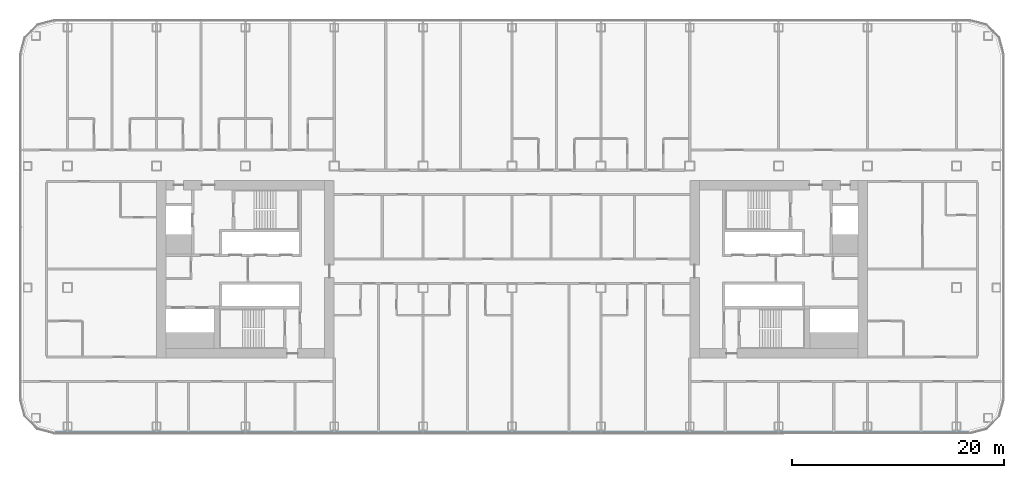
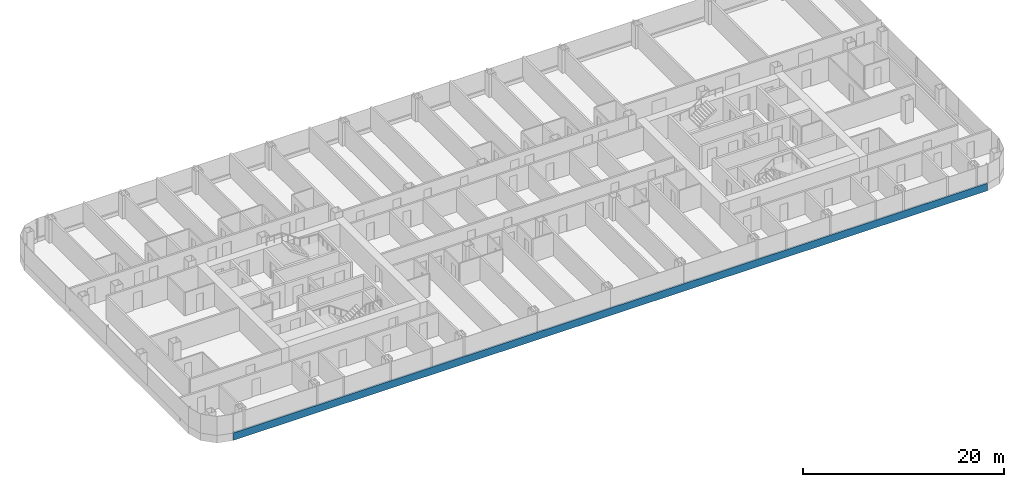
# One storey, part 5 of 29: 1 member, 1 element without a shape of its own.
"""IFC4 building model written with IfcOpenShell, lengths in metres."""

from ifc_helpers import new_model, si_unit, direction, frame, origin, origin_2d, place, context, subcontext, project, spatial, rectangle, extrude, material, layer, layer_set, material_profile, profile_set, type_object, element, aggregate, save


model = new_model("IFC4")

# Units and contexts
model_context = context("Model", 3, precision=1e-05, world=origin(), true_north=direction((0.0, 1.0)))
body_context = subcontext(model_context, "Body", "Model", "MODEL_VIEW")
ifc_project = project(units=[si_unit("LENGTHUNIT", "METRE"), si_unit("AREAUNIT", "SQUARE_METRE"), si_unit("VOLUMEUNIT", "CUBIC_METRE"), si_unit("PLANEANGLEUNIT", "RADIAN"), si_unit("MASSUNIT", "GRAM", prefix="KILO")], contexts=[model_context])

# Site, building, storey
site_placement = place(None, origin())
site = spatial("IfcSite", under=ifc_project, at=site_placement, CompositionType="ELEMENT")
building_placement = place(site_placement, origin())
building = spatial("IfcBuilding", under=site, at=building_placement, Name="Hakoniwa Tower and Hamabe Station Hall", CompositionType="ELEMENT")
storey_placement = place(building_placement, frame((0.0, 0.0, 110.60009765625)))
storey = spatial("IfcBuildingStorey", under=building, at=storey_placement, Name="L31", CompositionType="ELEMENT", Elevation=110.60009765625)

# Curtain wall, member
ifc_material_1 = material(Name="Dark low-e laminated glass", Category="glass")
ifc_layer = layer(ifc_material_1, 0.199951171875)
ifc_layer_set = layer_set([ifc_layer], Name="CW-1 UNITISED GUEST")
curtain_wall_type = type_object("IfcCurtainWallType", Name="CW-1 UNITISED GUEST", PredefinedType="NOTDEFINED", material=ifc_layer_set)
curtain_wall_placement = place(storey_placement, origin())
curtain_wall = element("IfcCurtainWall", 1, at=curtain_wall_placement, inside=storey, type_object=curtain_wall_type, Name="CW-1 curtain wall", PredefinedType="NOTDEFINED")
ifc_material_2 = material(Name="Aluminium 6063-T5 black anodised", Category="aluminium")
ifc_material_profile = material_profile(ifc_material_2, rectangle(XDim=0.199951171875, YDim=0.89990234375, at=origin_2d()), Name="CW SLAB-EDGE BAND 900X200")
ifc_profile_set = profile_set([ifc_material_profile], Name="Aluminium 6063-T5 black anodised")
member_type = type_object("IfcMemberType", Name="CW SLAB-EDGE BAND 900X200", PredefinedType="USERDEFINED", material=ifc_profile_set)
member_placement = place(storey_placement, frame((-43.239501953125, -15.449951171875, -0.10009765625), z_axis=(1.0, 0.0, 0.0), x_axis=(0.0, 1.0, 0.0)))
member = element("IfcMember", 2, at=member_placement, type_object=member_type, Name="CW-1 transom", ObjectType="TRANSOM", PredefinedType="USERDEFINED", context=body_context, shape_type="SweptSolid", body=[
    extrude(rectangle(XDim=0.199951171875, YDim=0.89990234375, at=origin_2d()), origin(), (0.0, 0.0, 1.0), 86.47900390625),
])
aggregate(curtain_wall, [member])

save(model, "model.ifc")
